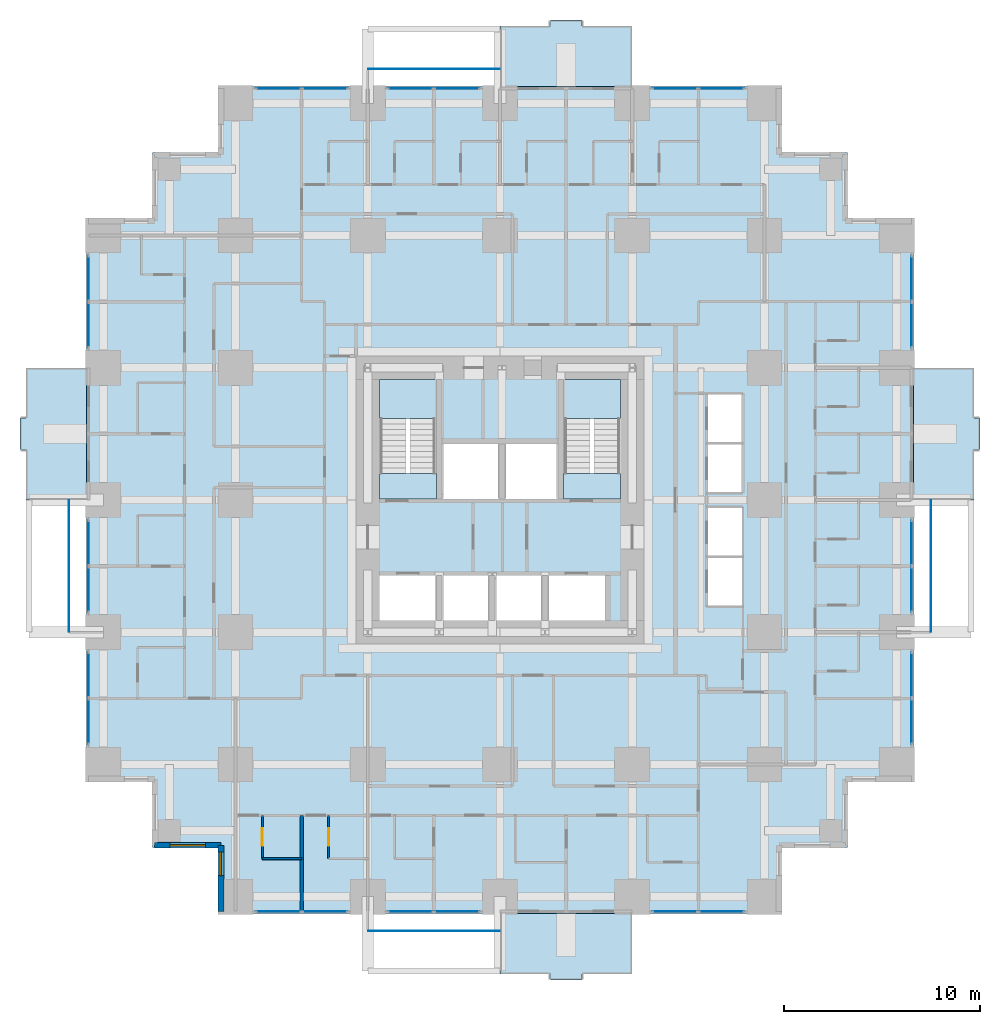
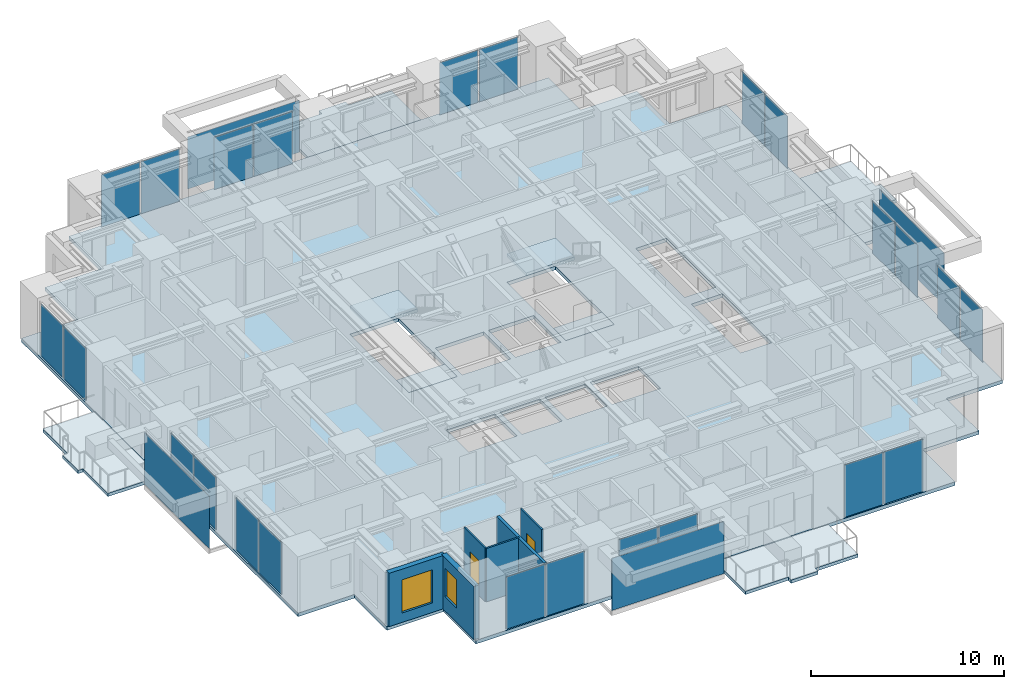
# One storey, part 7 of 14: 28 plates, 9 slabs, 6 walls, 2 doors, 2 windows, 4 openings, 14 elements without a shape of their own.
"""IFC4 building model written with IfcOpenShell, lengths in metres."""

from ifc_helpers import new_model, si_unit, direction, frame, frame_2d, origin, origin_2d, place, context, subcontext, project, spatial, polyline, rectangle, outline, extrude, material, layer, layer_set, type_object, element, fill, aggregate, save


model = new_model("IFC4")

# Units and contexts
model_context = context("Model", 3, precision=1e-05, world=origin(), true_north=direction((0.0, 1.0)))
body_context = subcontext(model_context, "Body", "Model", "MODEL_VIEW")
ifc_project = project(units=[si_unit("LENGTHUNIT", "METRE"), si_unit("AREAUNIT", "SQUARE_METRE"), si_unit("VOLUMEUNIT", "CUBIC_METRE"), si_unit("PLANEANGLEUNIT", "RADIAN"), si_unit("MASSUNIT", "GRAM", prefix="KILO")], contexts=[model_context])

# Site, building, storey
site_placement = place(None, origin())
site = spatial("IfcSite", under=ifc_project, at=site_placement, CompositionType="ELEMENT")
building_placement = place(site_placement, origin())
building = spatial("IfcBuilding", under=site, at=building_placement, Name="Nyansa Garden Tower", CompositionType="ELEMENT")
storey_placement = place(building_placement, frame((0.0, 0.0, 50.39990234375)))
storey = spatial("IfcBuildingStorey", under=building, at=storey_placement, Name="L13", CompositionType="ELEMENT", Elevation=50.39990234375)

# Slabs
ifc_material_1 = material(Name="Concrete C40/50", Category="concrete")
ifc_layer_1 = layer(ifc_material_1, 0.199951171875)
ifc_layer_set_1 = layer_set([ifc_layer_1], Name="Balcony slab BS200")
slab_type_1 = type_object("IfcSlabType", Name="Balcony slab BS200", PredefinedType="FLOOR", material=ifc_layer_set_1)
slab_1_placement = place(storey_placement, frame((0.0, 0.0, -0.239990234375)))
element("IfcSlab", 1, at=slab_1_placement, inside=storey, type_object=slab_type_1, Name="Balcony L13 S", PredefinedType="FLOOR", context=body_context, shape_type="SweptSolid", body=[
    extrude(outline(polyline([(20.25, -0.85009765625), (27.0, -0.85009765625), (27.0, -3.949951171875), (24.425048828125, -3.949951171875), (24.425048828125, -4.25), (22.824951171875, -4.25), (22.824951171875, -3.949951171875), (20.25, -3.949951171875), (20.25, -0.85009765625)])), origin(), (0.0, 0.0, 1.0), 0.2001953125),
])
slab_2_placement = place(storey_placement, frame((0.0, 0.0, -0.239990234375)))
element("IfcSlab", 2, at=slab_2_placement, inside=storey, type_object=slab_type_1, Name="Balcony L13 E", PredefinedType="FLOOR", context=body_context, shape_type="SweptSolid", body=[
    extrude(outline(polyline([(41.35009765625, 20.25), (41.35009765625, 27.0), (44.449951171875, 27.0), (44.449951171875, 24.425048828125), (44.75, 24.425048828125), (44.75, 22.824951171875), (44.449951171875, 22.824951171875), (44.449951171875, 20.25), (41.35009765625, 20.25)])), origin(), (0.0, 0.0, 1.0), 0.2001953125),
])
slab_3_placement = place(storey_placement, frame((0.0, 0.0, -0.239990234375)))
element("IfcSlab", 3, at=slab_3_placement, inside=storey, type_object=slab_type_1, Name="Balcony L13 N", PredefinedType="FLOOR", context=body_context, shape_type="SweptSolid", body=[
    extrude(outline(polyline([(20.25, 41.35009765625), (27.0, 41.35009765625), (27.0, 44.449951171875), (24.425048828125, 44.449951171875), (24.425048828125, 44.75), (22.824951171875, 44.75), (22.824951171875, 44.449951171875), (20.25, 44.449951171875), (20.25, 41.35009765625)])), origin(), (0.0, 0.0, 1.0), 0.2001953125),
])
slab_4_placement = place(storey_placement, frame((0.0, 0.0, -0.239990234375)))
element("IfcSlab", 4, at=slab_4_placement, inside=storey, type_object=slab_type_1, Name="Balcony L13 W", PredefinedType="FLOOR", context=body_context, shape_type="SweptSolid", body=[
    extrude(outline(polyline([(-0.85009765625, 20.25), (-0.85009765625, 27.0), (-3.949951171875, 27.0), (-3.949951171875, 24.425048828125), (-4.25, 24.425048828125), (-4.25, 22.824951171875), (-3.949951171875, 22.824951171875), (-3.949951171875, 20.25), (-0.85009765625, 20.25)])), origin(), (0.0, 0.0, 1.0), 0.2001953125),
])

# Curtain wall, plates
ifc_material_2 = material(Name="Black anodised aluminium, dark tinted double glazing", Category="aluminium")
curtain_wall_type = type_object("IfcCurtainWallType", Name="Inner skin curtain wall ISW-A", PredefinedType="USERDEFINED", material=ifc_material_2)
curtain_wall_1_placement = place(storey_placement, origin())
curtain_wall_1 = element("IfcCurtainWall", 5, at=curtain_wall_1_placement, inside=storey, type_object=curtain_wall_type, Name="Inner skin curtain wall L13 E", ObjectType="UNITISED CURTAIN WALL", PredefinedType="USERDEFINED")
ifc_material_3 = material(Name="Dark tinted laminated double glazing", Category="glass")
ifc_layer_2 = layer(ifc_material_3, 0.031982421875)
ifc_layer_set_2 = layer_set([ifc_layer_2], Name="Dark tinted vision panel VP-A")
plate_type_1 = type_object("IfcPlateType", Name="Dark tinted vision panel VP-A", PredefinedType="CURTAIN_PANEL", material=ifc_layer_set_2)
plate_1_placement = place(storey_placement, frame((41.25, 8.9375, 0.0), z_axis=(0.0, 0.0, 1.0), x_axis=(0.0, 1.0, 0.0)))
plate_1 = element("IfcPlate", 6, at=plate_1_placement, type_object=plate_type_1, Name="ISW-A panel 1", PredefinedType="CURTAIN_PANEL", context=body_context, shape_type="SweptSolid", body=[
    extrude(rectangle(XDim=2.31005859375, YDim=0.031982421875, at=origin_2d()), origin(), (0.0, 0.0, 1.0), 3.31005859375),
])
plate_2_placement = place(storey_placement, frame((41.25, 11.3125, 0.0), z_axis=(0.0, 0.0, 1.0), x_axis=(0.0, 1.0, 0.0)))
plate_2 = element("IfcPlate", 7, at=plate_2_placement, type_object=plate_type_1, Name="ISW-A panel 2", PredefinedType="CURTAIN_PANEL", context=body_context, shape_type="SweptSolid", body=[
    extrude(rectangle(XDim=2.31005859375, YDim=0.031982421875, at=origin_2d()), origin(), (0.0, 0.0, 1.0), 3.31005859375),
])
aggregate(curtain_wall_1, [plate_1, plate_2])

curtain_wall_2_placement = place(storey_placement, origin())
curtain_wall_2 = element("IfcCurtainWall", 8, at=curtain_wall_2_placement, inside=storey, type_object=curtain_wall_type, Name="Inner skin curtain wall L13 E", ObjectType="UNITISED CURTAIN WALL", PredefinedType="USERDEFINED")
plate_3_placement = place(storey_placement, frame((41.25, 15.6875, 0.0), z_axis=(0.0, 0.0, 1.0), x_axis=(0.0, 1.0, 0.0)))
plate_3 = element("IfcPlate", 9, at=plate_3_placement, type_object=plate_type_1, Name="ISW-A panel 1", PredefinedType="CURTAIN_PANEL", context=body_context, shape_type="SweptSolid", body=[
    extrude(rectangle(XDim=2.31005859375, YDim=0.031982421875, at=origin_2d()), origin(), (0.0, 0.0, 1.0), 3.31005859375),
])
plate_4_placement = place(storey_placement, frame((41.25, 18.0625, 0.0), z_axis=(0.0, 0.0, 1.0), x_axis=(0.0, 1.0, 0.0)))
plate_4 = element("IfcPlate", 10, at=plate_4_placement, type_object=plate_type_1, Name="ISW-A panel 2", PredefinedType="CURTAIN_PANEL", context=body_context, shape_type="SweptSolid", body=[
    extrude(rectangle(XDim=2.31005859375, YDim=0.031982421875, at=origin_2d()), origin(), (0.0, 0.0, 1.0), 3.31005859375),
])
aggregate(curtain_wall_2, [plate_3, plate_4])

curtain_wall_3_placement = place(storey_placement, origin())
curtain_wall_3 = element("IfcCurtainWall", 11, at=curtain_wall_3_placement, inside=storey, type_object=curtain_wall_type, Name="Inner skin curtain wall L13 E", ObjectType="UNITISED CURTAIN WALL", PredefinedType="USERDEFINED")
plate_5_placement = place(storey_placement, frame((41.25, 29.1875, 0.0), z_axis=(0.0, 0.0, 1.0), x_axis=(0.0, 1.0, 0.0)))
plate_5 = element("IfcPlate", 12, at=plate_5_placement, type_object=plate_type_1, Name="ISW-A panel 1", PredefinedType="CURTAIN_PANEL", context=body_context, shape_type="SweptSolid", body=[
    extrude(rectangle(XDim=2.31005859375, YDim=0.031982421875, at=origin_2d()), origin(), (0.0, 0.0, 1.0), 3.31005859375),
])
plate_6_placement = place(storey_placement, frame((41.25, 31.5625, 0.0), z_axis=(0.0, 0.0, 1.0), x_axis=(0.0, 1.0, 0.0)))
plate_6 = element("IfcPlate", 13, at=plate_6_placement, type_object=plate_type_1, Name="ISW-A panel 2", PredefinedType="CURTAIN_PANEL", context=body_context, shape_type="SweptSolid", body=[
    extrude(rectangle(XDim=2.31005859375, YDim=0.031982421875, at=origin_2d()), origin(), (0.0, 0.0, 1.0), 3.31005859375),
])
aggregate(curtain_wall_3, [plate_5, plate_6])

curtain_wall_4_placement = place(storey_placement, origin())
curtain_wall_4 = element("IfcCurtainWall", 14, at=curtain_wall_4_placement, inside=storey, type_object=curtain_wall_type, Name="Inner skin curtain wall L13 N", ObjectType="UNITISED CURTAIN WALL", PredefinedType="USERDEFINED")
plate_7_placement = place(storey_placement, frame((18.0625, 41.25, 0.0), z_axis=(0.0, 0.0, 1.0), x_axis=(-1.0, 0.0, 0.0)))
plate_7 = element("IfcPlate", 15, at=plate_7_placement, type_object=plate_type_1, Name="ISW-A panel 1", PredefinedType="CURTAIN_PANEL", context=body_context, shape_type="SweptSolid", body=[
    extrude(rectangle(XDim=2.31005859375, YDim=0.031982421875, at=origin_2d()), origin(), (0.0, 0.0, 1.0), 3.31005859375),
])
plate_8_placement = place(storey_placement, frame((15.6875, 41.25, 0.0), z_axis=(0.0, 0.0, 1.0), x_axis=(-1.0, 0.0, 0.0)))
plate_8 = element("IfcPlate", 16, at=plate_8_placement, type_object=plate_type_1, Name="ISW-A panel 2", PredefinedType="CURTAIN_PANEL", context=body_context, shape_type="SweptSolid", body=[
    extrude(rectangle(XDim=2.31005859375, YDim=0.031982421875, at=origin_2d()), origin(), (0.0, 0.0, 1.0), 3.31005859375),
])
aggregate(curtain_wall_4, [plate_7, plate_8])

curtain_wall_5_placement = place(storey_placement, origin())
curtain_wall_5 = element("IfcCurtainWall", 17, at=curtain_wall_5_placement, inside=storey, type_object=curtain_wall_type, Name="Inner skin curtain wall L13 N", ObjectType="UNITISED CURTAIN WALL", PredefinedType="USERDEFINED")
plate_9_placement = place(storey_placement, frame((11.3125, 41.25, 0.0), z_axis=(0.0, 0.0, 1.0), x_axis=(-1.0, 0.0, 0.0)))
plate_9 = element("IfcPlate", 18, at=plate_9_placement, type_object=plate_type_1, Name="ISW-A panel 1", PredefinedType="CURTAIN_PANEL", context=body_context, shape_type="SweptSolid", body=[
    extrude(rectangle(XDim=2.31005859375, YDim=0.031982421875, at=origin_2d()), origin(), (0.0, 0.0, 1.0), 3.31005859375),
])
plate_10_placement = place(storey_placement, frame((8.9375, 41.25, 0.0), z_axis=(0.0, 0.0, 1.0), x_axis=(-1.0, 0.0, 0.0)))
plate_10 = element("IfcPlate", 19, at=plate_10_placement, type_object=plate_type_1, Name="ISW-A panel 2", PredefinedType="CURTAIN_PANEL", context=body_context, shape_type="SweptSolid", body=[
    extrude(rectangle(XDim=2.31005859375, YDim=0.031982421875, at=origin_2d()), origin(), (0.0, 0.0, 1.0), 3.31005859375),
])
aggregate(curtain_wall_5, [plate_9, plate_10])

curtain_wall_6_placement = place(storey_placement, origin())
curtain_wall_6 = element("IfcCurtainWall", 20, at=curtain_wall_6_placement, inside=storey, type_object=curtain_wall_type, Name="Inner skin curtain wall L13 N", ObjectType="UNITISED CURTAIN WALL", PredefinedType="USERDEFINED")
plate_11_placement = place(storey_placement, frame((31.5625, 41.25, 0.0), z_axis=(0.0, 0.0, 1.0), x_axis=(-1.0, 0.0, 0.0)))
plate_11 = element("IfcPlate", 21, at=plate_11_placement, type_object=plate_type_1, Name="ISW-A panel 1", PredefinedType="CURTAIN_PANEL", context=body_context, shape_type="SweptSolid", body=[
    extrude(rectangle(XDim=2.31005859375, YDim=0.031982421875, at=origin_2d()), origin(), (0.0, 0.0, 1.0), 3.31005859375),
])
plate_12_placement = place(storey_placement, frame((29.1875, 41.25, 0.0), z_axis=(0.0, 0.0, 1.0), x_axis=(-1.0, 0.0, 0.0)))
plate_12 = element("IfcPlate", 22, at=plate_12_placement, type_object=plate_type_1, Name="ISW-A panel 2", PredefinedType="CURTAIN_PANEL", context=body_context, shape_type="SweptSolid", body=[
    extrude(rectangle(XDim=2.31005859375, YDim=0.031982421875, at=origin_2d()), origin(), (0.0, 0.0, 1.0), 3.31005859375),
])
aggregate(curtain_wall_6, [plate_11, plate_12])

curtain_wall_7_placement = place(storey_placement, origin())
curtain_wall_7 = element("IfcCurtainWall", 23, at=curtain_wall_7_placement, inside=storey, type_object=curtain_wall_type, Name="Inner skin curtain wall L13 W", ObjectType="UNITISED CURTAIN WALL", PredefinedType="USERDEFINED")
plate_13_placement = place(storey_placement, frame((-0.75, 18.0625, 0.0), z_axis=(0.0, 0.0, 1.0), x_axis=(0.0, -1.0, 0.0)))
plate_13 = element("IfcPlate", 24, at=plate_13_placement, type_object=plate_type_1, Name="ISW-A panel 1", PredefinedType="CURTAIN_PANEL", context=body_context, shape_type="SweptSolid", body=[
    extrude(rectangle(XDim=2.31005859375, YDim=0.031982421875, at=origin_2d()), origin(), (0.0, 0.0, 1.0), 3.31005859375),
])
plate_14_placement = place(storey_placement, frame((-0.75, 15.6875, 0.0), z_axis=(0.0, 0.0, 1.0), x_axis=(0.0, -1.0, 0.0)))
plate_14 = element("IfcPlate", 25, at=plate_14_placement, type_object=plate_type_1, Name="ISW-A panel 2", PredefinedType="CURTAIN_PANEL", context=body_context, shape_type="SweptSolid", body=[
    extrude(rectangle(XDim=2.31005859375, YDim=0.031982421875, at=origin_2d()), origin(), (0.0, 0.0, 1.0), 3.31005859375),
])
aggregate(curtain_wall_7, [plate_13, plate_14])

curtain_wall_8_placement = place(storey_placement, origin())
curtain_wall_8 = element("IfcCurtainWall", 26, at=curtain_wall_8_placement, inside=storey, type_object=curtain_wall_type, Name="Inner skin curtain wall L13 W", ObjectType="UNITISED CURTAIN WALL", PredefinedType="USERDEFINED")
plate_15_placement = place(storey_placement, frame((-0.75, 11.3125, 0.0), z_axis=(0.0, 0.0, 1.0), x_axis=(0.0, -1.0, 0.0)))
plate_15 = element("IfcPlate", 27, at=plate_15_placement, type_object=plate_type_1, Name="ISW-A panel 1", PredefinedType="CURTAIN_PANEL", context=body_context, shape_type="SweptSolid", body=[
    extrude(rectangle(XDim=2.31005859375, YDim=0.031982421875, at=origin_2d()), origin(), (0.0, 0.0, 1.0), 3.31005859375),
])
plate_16_placement = place(storey_placement, frame((-0.75, 8.9375, 0.0), z_axis=(0.0, 0.0, 1.0), x_axis=(0.0, -1.0, 0.0)))
plate_16 = element("IfcPlate", 28, at=plate_16_placement, type_object=plate_type_1, Name="ISW-A panel 2", PredefinedType="CURTAIN_PANEL", context=body_context, shape_type="SweptSolid", body=[
    extrude(rectangle(XDim=2.31005859375, YDim=0.031982421875, at=origin_2d()), origin(), (0.0, 0.0, 1.0), 3.31005859375),
])
aggregate(curtain_wall_8, [plate_15, plate_16])

curtain_wall_9_placement = place(storey_placement, origin())
curtain_wall_9 = element("IfcCurtainWall", 29, at=curtain_wall_9_placement, inside=storey, type_object=curtain_wall_type, Name="Inner skin curtain wall L13 W", ObjectType="UNITISED CURTAIN WALL", PredefinedType="USERDEFINED")
plate_17_placement = place(storey_placement, frame((-0.75, 31.5625, 0.0), z_axis=(0.0, 0.0, 1.0), x_axis=(0.0, -1.0, 0.0)))
plate_17 = element("IfcPlate", 30, at=plate_17_placement, type_object=plate_type_1, Name="ISW-A panel 1", PredefinedType="CURTAIN_PANEL", context=body_context, shape_type="SweptSolid", body=[
    extrude(rectangle(XDim=2.31005859375, YDim=0.031982421875, at=origin_2d()), origin(), (0.0, 0.0, 1.0), 3.31005859375),
])
plate_18_placement = place(storey_placement, frame((-0.75, 29.1875, 0.0), z_axis=(0.0, 0.0, 1.0), x_axis=(0.0, -1.0, 0.0)))
plate_18 = element("IfcPlate", 31, at=plate_18_placement, type_object=plate_type_1, Name="ISW-A panel 2", PredefinedType="CURTAIN_PANEL", context=body_context, shape_type="SweptSolid", body=[
    extrude(rectangle(XDim=2.31005859375, YDim=0.031982421875, at=origin_2d()), origin(), (0.0, 0.0, 1.0), 3.31005859375),
])
aggregate(curtain_wall_9, [plate_17, plate_18])

curtain_wall_10_placement = place(storey_placement, origin())
curtain_wall_10 = element("IfcCurtainWall", 32, at=curtain_wall_10_placement, inside=storey, type_object=curtain_wall_type, Name="Inner skin curtain wall L13 S", ObjectType="UNITISED CURTAIN WALL", PredefinedType="USERDEFINED")
plate_19_placement = place(storey_placement, frame((8.9375, -0.75, 0.0), z_axis=(0.0, 0.0, 1.0), x_axis=(1.0, 0.0, 0.0)))
plate_19 = element("IfcPlate", 33, at=plate_19_placement, type_object=plate_type_1, Name="ISW-A panel 1", PredefinedType="CURTAIN_PANEL", context=body_context, shape_type="SweptSolid", body=[
    extrude(rectangle(XDim=2.31005859375, YDim=0.031982421875, at=origin_2d()), origin(), (0.0, 0.0, 1.0), 3.31005859375),
])
plate_20_placement = place(storey_placement, frame((11.3125, -0.75, 0.0), z_axis=(0.0, 0.0, 1.0), x_axis=(1.0, 0.0, 0.0)))
plate_20 = element("IfcPlate", 34, at=plate_20_placement, type_object=plate_type_1, Name="ISW-A panel 2", PredefinedType="CURTAIN_PANEL", context=body_context, shape_type="SweptSolid", body=[
    extrude(rectangle(XDim=2.31005859375, YDim=0.031982421875, at=origin_2d()), origin(), (0.0, 0.0, 1.0), 3.31005859375),
])
aggregate(curtain_wall_10, [plate_19, plate_20])

curtain_wall_11_placement = place(storey_placement, origin())
curtain_wall_11 = element("IfcCurtainWall", 35, at=curtain_wall_11_placement, inside=storey, type_object=curtain_wall_type, Name="Inner skin curtain wall L13 S", ObjectType="UNITISED CURTAIN WALL", PredefinedType="USERDEFINED")
plate_21_placement = place(storey_placement, frame((15.6875, -0.75, 0.0), z_axis=(0.0, 0.0, 1.0), x_axis=(1.0, 0.0, 0.0)))
plate_21 = element("IfcPlate", 36, at=plate_21_placement, type_object=plate_type_1, Name="ISW-A panel 1", PredefinedType="CURTAIN_PANEL", context=body_context, shape_type="SweptSolid", body=[
    extrude(rectangle(XDim=2.31005859375, YDim=0.031982421875, at=origin_2d()), origin(), (0.0, 0.0, 1.0), 3.31005859375),
])
plate_22_placement = place(storey_placement, frame((18.0625, -0.75, 0.0), z_axis=(0.0, 0.0, 1.0), x_axis=(1.0, 0.0, 0.0)))
plate_22 = element("IfcPlate", 37, at=plate_22_placement, type_object=plate_type_1, Name="ISW-A panel 2", PredefinedType="CURTAIN_PANEL", context=body_context, shape_type="SweptSolid", body=[
    extrude(rectangle(XDim=2.31005859375, YDim=0.031982421875, at=origin_2d()), origin(), (0.0, 0.0, 1.0), 3.31005859375),
])
aggregate(curtain_wall_11, [plate_21, plate_22])

curtain_wall_12_placement = place(storey_placement, origin())
curtain_wall_12 = element("IfcCurtainWall", 38, at=curtain_wall_12_placement, inside=storey, type_object=curtain_wall_type, Name="Inner skin curtain wall L13 S", ObjectType="UNITISED CURTAIN WALL", PredefinedType="USERDEFINED")
plate_23_placement = place(storey_placement, frame((29.1875, -0.75, 0.0), z_axis=(0.0, 0.0, 1.0), x_axis=(1.0, 0.0, 0.0)))
plate_23 = element("IfcPlate", 39, at=plate_23_placement, type_object=plate_type_1, Name="ISW-A panel 1", PredefinedType="CURTAIN_PANEL", context=body_context, shape_type="SweptSolid", body=[
    extrude(rectangle(XDim=2.31005859375, YDim=0.031982421875, at=origin_2d()), origin(), (0.0, 0.0, 1.0), 3.31005859375),
])
plate_24_placement = place(storey_placement, frame((31.5625, -0.75, 0.0), z_axis=(0.0, 0.0, 1.0), x_axis=(1.0, 0.0, 0.0)))
plate_24 = element("IfcPlate", 40, at=plate_24_placement, type_object=plate_type_1, Name="ISW-A panel 2", PredefinedType="CURTAIN_PANEL", context=body_context, shape_type="SweptSolid", body=[
    extrude(rectangle(XDim=2.31005859375, YDim=0.031982421875, at=origin_2d()), origin(), (0.0, 0.0, 1.0), 3.31005859375),
])
aggregate(curtain_wall_12, [plate_23, plate_24])

# Slab
ifc_material_4 = material(Name="Concrete C40/50", Category="concrete")
ifc_layer_3 = layer(ifc_material_4, 0.22509765625)
ifc_layer_set_3 = layer_set([ifc_layer_3], Name="Floor slab FS225")
slab_type_2 = type_object("IfcSlabType", Name="Floor slab FS225", PredefinedType="FLOOR", material=ifc_layer_set_3)
slab_5_placement = place(storey_placement, frame((0.0, 0.0, -0.224853515625)))
element("IfcSlab", 41, at=slab_5_placement, inside=storey, type_object=slab_type_2, Name="Floor slab L13", PredefinedType="FLOOR", context=body_context, shape_type="SweptSolid", body=[
    extrude(outline(polyline([(41.35009765625, 5.89990234375), (37.97509765625, 5.89990234375), (37.97509765625, 2.52490234375), (34.60009765625, 2.52490234375), (34.60009765625, -0.85009765625), (5.89990234375, -0.85009765625), (5.89990234375, 2.52490234375), (2.52490234375, 2.52490234375), (2.52490234375, 5.89990234375), (-0.85009765625, 5.89990234375), (-0.85009765625, 34.60009765625), (2.52490234375, 34.60009765625), (2.52490234375, 37.97509765625), (5.89990234375, 37.97509765625), (5.89990234375, 41.35009765625), (34.60009765625, 41.35009765625), (34.60009765625, 37.97509765625), (37.97509765625, 37.97509765625), (37.97509765625, 34.60009765625), (41.35009765625, 34.60009765625), (41.35009765625, 5.89990234375)]), holes=[polyline([(14.10009765625, 14.10009765625), (17.0, 14.10009765625), (17.0, 16.39990234375), (14.10009765625, 16.39990234375), (14.10009765625, 14.10009765625)]), polyline([(17.300048828125, 14.10009765625), (19.699951171875, 14.10009765625), (19.699951171875, 16.39990234375), (17.300048828125, 16.39990234375), (17.300048828125, 14.10009765625)]), polyline([(20.0, 14.10009765625), (22.39990234375, 14.10009765625), (22.39990234375, 16.39990234375), (20.0, 16.39990234375), (20.0, 14.10009765625)]), polyline([(22.699951171875, 14.10009765625), (25.60009765625, 14.10009765625), (25.60009765625, 16.39990234375), (22.699951171875, 16.39990234375), (22.699951171875, 14.10009765625)]), polyline([(17.300048828125, 20.300048828125), (20.199951171875, 20.300048828125), (20.199951171875, 23.10009765625), (17.300048828125, 23.10009765625), (17.300048828125, 20.300048828125)]), polyline([(20.5, 20.300048828125), (23.199951171875, 20.300048828125), (23.199951171875, 23.10009765625), (20.5, 23.10009765625), (20.5, 20.300048828125)]), polyline([(30.800048828125, 14.800048828125), (32.64990234375, 14.800048828125), (32.64990234375, 19.89990234375), (30.800048828125, 19.89990234375), (30.800048828125, 14.800048828125)]), polyline([(30.800048828125, 20.60009765625), (32.64990234375, 20.60009765625), (32.64990234375, 25.699951171875), (30.800048828125, 25.699951171875), (30.800048828125, 20.60009765625)]), polyline([(14.10009765625, 20.300048828125), (17.0, 20.300048828125), (17.0, 26.39990234375), (14.10009765625, 26.39990234375), (14.10009765625, 20.300048828125)]), polyline([(23.5, 20.300048828125), (26.39990234375, 20.300048828125), (26.39990234375, 26.39990234375), (23.5, 26.39990234375), (23.5, 20.300048828125)])]), origin(), (0.0, 0.0, 1.0), 0.224853515625),
])

# Plates
ifc_material_5 = material(Name="Dark tinted laminated glass", Category="glass")
ifc_layer_4 = layer(ifc_material_5, 0.02392578125)
ifc_layer_set_4 = layer_set([ifc_layer_4], Name="Outer skin glass panel OS1")
plate_type_2 = type_object("IfcPlateType", Name="Outer skin glass panel OS1", PredefinedType="USERDEFINED", material=ifc_layer_set_4)
for number, where, z_axis, x_axis, name in (
    (42, (42.25, 16.875, -0.22509765625), (0.0, 0.0, 1.0), (0.0, 1.0, 0.0), "Outer skin glass panel L13"),
    (43, (16.875, 42.25, -0.22509765625), (0.0, 0.0, 1.0), (1.0, 0.0, 0.0), "Outer skin glass panel L13"),
    (44, (-1.75, 16.875, -0.22509765625), (0.0, 0.0, 1.0), (0.0, 1.0, 0.0), "Outer skin glass panel L13"),
    (45, (16.875, -1.75, -0.22509765625), (0.0, 0.0, 1.0), (1.0, 0.0, 0.0), "Outer skin glass panel L13"),
):
    element("IfcPlate", number, at=place(storey_placement, frame(where, z_axis=z_axis, x_axis=x_axis)), inside=storey, type_object=plate_type_2, Name=name, ObjectType="OUTER SKIN GLASS", PredefinedType="USERDEFINED", context=body_context, shape_type="SweptSolid", body=[
        extrude(rectangle(XDim=6.7099609375, YDim=0.02392578125, at=origin_2d()), origin(), (0.0, 0.0, 1.0), 3.300048828125),
    ])

# Stair, slabs
ifc_material_6 = material(Name="Precast concrete C40/50", Category="concrete")
stair_type_1 = type_object("IfcStairType", Name="Stair S1 164x280", PredefinedType="HALF_TURN_STAIR", material=ifc_material_6)
stair_1_placement = place(storey_placement, origin())
stair_1 = element("IfcStair", 46, at=stair_1_placement, inside=storey, type_object=stair_type_1, Name="Stair S1 L13", PredefinedType="HALF_TURN_STAIR")
ifc_material_7 = material(Name="Concrete C40/50", Category="concrete")
ifc_layer_5 = layer(ifc_material_7, 0.199951171875)
ifc_layer_set_5 = layer_set([ifc_layer_5], Name="Stair landing SL200")
slab_type_3 = type_object("IfcSlabType", Name="Stair landing SL200", PredefinedType="LANDING", material=ifc_layer_set_5)
slab_6_placement = place(storey_placement, frame((0.0, 0.0, -0.199951171875)))
slab_6 = element("IfcSlab", 47, at=slab_6_placement, type_object=slab_type_3, Name="S1 landing 1", PredefinedType="LANDING", context=body_context, shape_type="SweptSolid", body=[
    extrude(outline(polyline([(14.10009765625, 20.300048828125), (17.0, 20.300048828125), (17.0, 21.60009765625), (14.10009765625, 21.60009765625), (14.10009765625, 20.300048828125)])), origin(), (0.0, 0.0, 1.0), 0.199951171875),
])
slab_7_placement = place(storey_placement, frame((0.0, 0.0, 1.60009765625)))
slab_7 = element("IfcSlab", 48, at=slab_7_placement, type_object=slab_type_3, Name="S1 landing 2", PredefinedType="LANDING", context=body_context, shape_type="SweptSolid", body=[
    extrude(outline(polyline([(14.10009765625, 24.39990234375), (17.0, 24.39990234375), (17.0, 26.39990234375), (14.10009765625, 26.39990234375), (14.10009765625, 24.39990234375)])), origin(), (0.0, 0.0, 1.0), 0.199951171875),
])
aggregate(stair_1, [slab_6, slab_7])

ifc_material_8 = material(Name="Precast concrete C40/50", Category="concrete")
stair_type_2 = type_object("IfcStairType", Name="Stair S2 164x280", PredefinedType="HALF_TURN_STAIR", material=ifc_material_8)
stair_2_placement = place(storey_placement, origin())
stair_2 = element("IfcStair", 49, at=stair_2_placement, inside=storey, type_object=stair_type_2, Name="Stair S2 L13", PredefinedType="HALF_TURN_STAIR")
slab_8_placement = place(storey_placement, frame((0.0, 0.0, -0.199951171875)))
slab_8 = element("IfcSlab", 50, at=slab_8_placement, type_object=slab_type_3, Name="S2 landing 1", PredefinedType="LANDING", context=body_context, shape_type="SweptSolid", body=[
    extrude(outline(polyline([(23.5, 20.300048828125), (26.39990234375, 20.300048828125), (26.39990234375, 21.60009765625), (23.5, 21.60009765625), (23.5, 20.300048828125)])), origin(), (0.0, 0.0, 1.0), 0.199951171875),
])
slab_9_placement = place(storey_placement, frame((0.0, 0.0, 1.60009765625)))
slab_9 = element("IfcSlab", 51, at=slab_9_placement, type_object=slab_type_3, Name="S2 landing 2", PredefinedType="LANDING", context=body_context, shape_type="SweptSolid", body=[
    extrude(outline(polyline([(23.5, 24.39990234375), (26.39990234375, 24.39990234375), (26.39990234375, 26.39990234375), (23.5, 26.39990234375), (23.5, 24.39990234375)])), origin(), (0.0, 0.0, 1.0), 0.199951171875),
])
aggregate(stair_2, [slab_8, slab_9])

# Wall
ifc_material_9 = material(Name="Dense blockwork, plastered both sides, 55 dB", Category="masonry")
ifc_layer_6 = layer(ifc_material_9, 0.175048828125)
ifc_layer_set_6 = layer_set([ifc_layer_6], Name="Acoustic party wall PW175")
wall_type_1 = type_object("IfcWallType", Name="Acoustic party wall PW175", PredefinedType="PARTITIONING", material=ifc_layer_set_6)
wall_1_placement = place(storey_placement, frame((10.125, -0.73388671875, 0.0), z_axis=(0.0, 0.0, 1.0), x_axis=(0.0, 1.0, 0.0)))
element("IfcWall", 52, at=wall_1_placement, inside=storey, type_object=wall_type_1, Name="Party wall", PredefinedType="PARTITIONING", context=body_context, shape_type="SweptSolid", body=[
    extrude(rectangle(XDim=4.8837890625, YDim=0.175048828125, at=frame_2d((2.44189453125, 0.0))), origin(), (0.0, 0.0, 1.0), 3.375),
])

# Wall, opening, window
ifc_material_10 = material(Name="Turquoise glazed tile on concrete blockwork", Category="masonry")
ifc_layer_7 = layer(ifc_material_10, 0.300048828125)
ifc_layer_set_7 = layer_set([ifc_layer_7], Name="Tiled corner wall TW300")
wall_type_2 = type_object("IfcWallType", Name="Tiled corner wall TW300", PredefinedType="SOLIDWALL", material=ifc_layer_set_7)
wall_2_placement = place(storey_placement, frame((2.625, 2.625, 0.0), z_axis=(0.0, 0.0, 1.0), x_axis=(1.0, 0.0, 0.0)))
wall_2 = element("IfcWall", 53, at=wall_2_placement, inside=storey, type_object=wall_type_2, Name="Tiled corner wall L13", PredefinedType="SOLIDWALL", context=body_context, shape_type="SweptSolid", body=[
    extrude(rectangle(XDim=3.375, YDim=0.300048828125, at=frame_2d((1.6875, 0.0))), origin(), (0.0, 0.0, 1.0), 3.375),
])
opening_1_placement = place(wall_2_placement, frame((0.78759765625, 0.0, 0.60009765625)))
opening_1 = element("IfcOpeningElement", 54, at=opening_1_placement, cuts=wall_2, Name="Opening W2", PredefinedType="OPENING", context=body_context, shape_type="SweptSolid", body=[
    extrude(rectangle(XDim=1.800048828125, YDim=2.10009765625, at=frame_2d((0.89990234375, 1.050048828125))), frame((0.0, 0.159912109375, 0.0), z_axis=(0.0, -1.0, 0.0), x_axis=(1.0, 0.0, 0.0)), (0.0, 0.0, 1.0), 0.320068359375),
])
ifc_material_11 = material(Name="Black aluminium frame, dark tinted double glazing", Category="aluminium")
window_type_1 = type_object("IfcWindowType", Name="Window W2 1800x2100", PartitioningType="SINGLE_PANEL", PredefinedType="WINDOW", material=ifc_material_11)
window_1_placement = place(opening_1_placement, origin())
window_1 = element("IfcWindow", 55, at=window_1_placement, inside=storey, type_object=window_type_1, Name="Corner window L13", OverallHeight=2.10009765625, OverallWidth=1.800048828125, PartitioningType="SINGLE_PANEL", PredefinedType="WINDOW", context=body_context, shape_type="SweptSolid", body=[
    extrude(rectangle(XDim=1.800048828125, YDim=2.10009765625, at=frame_2d((0.89990234375, 1.050048828125))), frame((0.0, 0.030029296875, 0.0), z_axis=(0.0, -1.0, 0.0), x_axis=(1.0, 0.0, 0.0)), (0.0, 0.0, 1.0), 0.06005859375),
])
fill(opening_1, window_1)

wall_3_placement = place(storey_placement, frame((6.0, 2.625, 0.0), z_axis=(0.0, 0.0, 1.0), x_axis=(0.0, -1.0, 0.0)))
wall_3 = element("IfcWall", 56, at=wall_3_placement, inside=storey, type_object=wall_type_2, Name="Tiled corner wall L13", PredefinedType="SOLIDWALL", context=body_context, shape_type="SweptSolid", body=[
    extrude(rectangle(XDim=3.375, YDim=0.300048828125, at=frame_2d((1.6875, 0.0))), origin(), (0.0, 0.0, 1.0), 3.375),
])
opening_2_placement = place(wall_3_placement, frame((0.342529296875, 0.0, 0.89990234375)))
opening_2 = element("IfcOpeningElement", 57, at=opening_2_placement, cuts=wall_3, Name="Opening W4", PredefinedType="OPENING", context=body_context, shape_type="SweptSolid", body=[
    extrude(rectangle(XDim=1.199951171875, YDim=1.800048828125, at=frame_2d((0.60009765625, 0.89990234375))), frame((0.0, 0.159912109375, 0.0), z_axis=(0.0, -1.0, 0.0), x_axis=(1.0, 0.0, 0.0)), (0.0, 0.0, 1.0), 0.320068359375),
])
ifc_material_12 = material(Name="Black aluminium frame, dark tinted double glazing", Category="aluminium")
window_type_2 = type_object("IfcWindowType", Name="Window W4 1200x1800", PartitioningType="SINGLE_PANEL", PredefinedType="WINDOW", material=ifc_material_12)
window_2_placement = place(opening_2_placement, origin())
window_2 = element("IfcWindow", 58, at=window_2_placement, inside=storey, type_object=window_type_2, Name="Corner window L13", OverallHeight=1.800048828125, OverallWidth=1.199951171875, PartitioningType="SINGLE_PANEL", PredefinedType="WINDOW", context=body_context, shape_type="SweptSolid", body=[
    extrude(rectangle(XDim=1.199951171875, YDim=1.800048828125, at=frame_2d((0.60009765625, 0.89990234375))), frame((0.0, 0.030029296875, 0.0), z_axis=(0.0, -1.0, 0.0), x_axis=(1.0, 0.0, 0.0)), (0.0, 0.0, 1.0), 0.06005859375),
])
fill(opening_2, window_2)

# Wall, opening, door
ifc_material_13 = material(Name="Moisture resistant board on steel studs, tiled", Category="steel")
ifc_layer_8 = layer(ifc_material_13, 0.10009765625)
ifc_layer_set_8 = layer_set([ifc_layer_8], Name="Wet wall PW100")
wall_type_3 = type_object("IfcWallType", Name="Wet wall PW100", PredefinedType="PARTITIONING", material=ifc_layer_set_8)
wall_4_placement = place(storey_placement, frame((8.125, 1.949951171875, 0.0), z_axis=(0.0, 0.0, 1.0), x_axis=(0.0, 1.0, 0.0)))
wall_4 = element("IfcWall", 59, at=wall_4_placement, inside=storey, type_object=wall_type_3, Name="Wet wall", PredefinedType="PARTITIONING", context=body_context, shape_type="SweptSolid", body=[
    extrude(rectangle(XDim=2.199951171875, YDim=0.10009765625, at=frame_2d((1.10009765625, 0.0))), origin(), (0.0, 0.0, 1.0), 3.375),
])
opening_3_placement = place(wall_4_placement, frame((0.64990234375, 0.0, 0.0)))
opening_3 = element("IfcOpeningElement", 60, at=opening_3_placement, cuts=wall_4, Name="Opening D02", PredefinedType="OPENING", context=body_context, shape_type="SweptSolid", body=[
    extrude(rectangle(XDim=0.89990234375, YDim=2.199951171875, at=frame_2d((0.449951171875, 1.10009765625))), frame((0.0, 0.06005859375, 0.0), z_axis=(0.0, -1.0, 0.0), x_axis=(1.0, 0.0, 0.0)), (0.0, 0.0, 1.0), 0.1201171875),
])
ifc_material_14 = material(Name="Timber flush door", Category="wood")
door_type = type_object("IfcDoorType", Name="En-suite door D02 900x2200", OperationType="SINGLE_SWING_RIGHT", PredefinedType="DOOR", material=ifc_material_14)
door_1_placement = place(opening_3_placement, origin())
door_1 = element("IfcDoor", 61, at=door_1_placement, inside=storey, type_object=door_type, Name="Door L13-020", OperationType="SINGLE_SWING_RIGHT", OverallHeight=2.199951171875, OverallWidth=0.89990234375, PredefinedType="DOOR", context=body_context, shape_type="SweptSolid", body=[
    extrude(rectangle(XDim=0.89990234375, YDim=2.199951171875, at=frame_2d((0.449951171875, 1.10009765625))), frame((0.0, 0.02490234375, 0.0), z_axis=(0.0, -1.0, 0.0), x_axis=(1.0, 0.0, 0.0)), (0.0, 0.0, 1.0), 0.050048828125),
])
fill(opening_3, door_1)

# Wall
wall_5_placement = place(storey_placement, frame((8.125, 1.949951171875, 0.0), z_axis=(0.0, 0.0, 1.0), x_axis=(1.0, 0.0, 0.0)))
element("IfcWall", 62, at=wall_5_placement, inside=storey, type_object=wall_type_3, Name="Wet wall", PredefinedType="PARTITIONING", context=body_context, shape_type="SweptSolid", body=[
    extrude(rectangle(XDim=2.0, YDim=0.10009765625, at=frame_2d((1.0, 0.0))), origin(), (0.0, 0.0, 1.0), 3.375),
])

# Wall, opening, door
wall_6_placement = place(storey_placement, frame((11.5, 1.949951171875, 0.0), z_axis=(0.0, 0.0, 1.0), x_axis=(0.0, 1.0, 0.0)))
wall_6 = element("IfcWall", 63, at=wall_6_placement, inside=storey, type_object=wall_type_3, Name="Wet wall", PredefinedType="PARTITIONING", context=body_context, shape_type="SweptSolid", body=[
    extrude(rectangle(XDim=2.199951171875, YDim=0.10009765625, at=frame_2d((1.10009765625, 0.0))), origin(), (0.0, 0.0, 1.0), 3.375),
])
opening_4_placement = place(wall_6_placement, frame((0.64990234375, 0.0, 0.0)))
opening_4 = element("IfcOpeningElement", 64, at=opening_4_placement, cuts=wall_6, Name="Opening D02", PredefinedType="OPENING", context=body_context, shape_type="SweptSolid", body=[
    extrude(rectangle(XDim=0.89990234375, YDim=2.199951171875, at=frame_2d((0.449951171875, 1.10009765625))), frame((0.0, 0.06005859375, 0.0), z_axis=(0.0, -1.0, 0.0), x_axis=(1.0, 0.0, 0.0)), (0.0, 0.0, 1.0), 0.1201171875),
])
door_2_placement = place(opening_4_placement, origin())
door_2 = element("IfcDoor", 65, at=door_2_placement, inside=storey, type_object=door_type, Name="Door L13-022", OperationType="SINGLE_SWING_RIGHT", OverallHeight=2.199951171875, OverallWidth=0.89990234375, PredefinedType="DOOR", context=body_context, shape_type="SweptSolid", body=[
    extrude(rectangle(XDim=0.89990234375, YDim=2.199951171875, at=frame_2d((0.449951171875, 1.10009765625))), frame((0.0, 0.02490234375, 0.0), z_axis=(0.0, -1.0, 0.0), x_axis=(1.0, 0.0, 0.0)), (0.0, 0.0, 1.0), 0.050048828125),
])
fill(opening_4, door_2)

save(model, "model.ifc")
